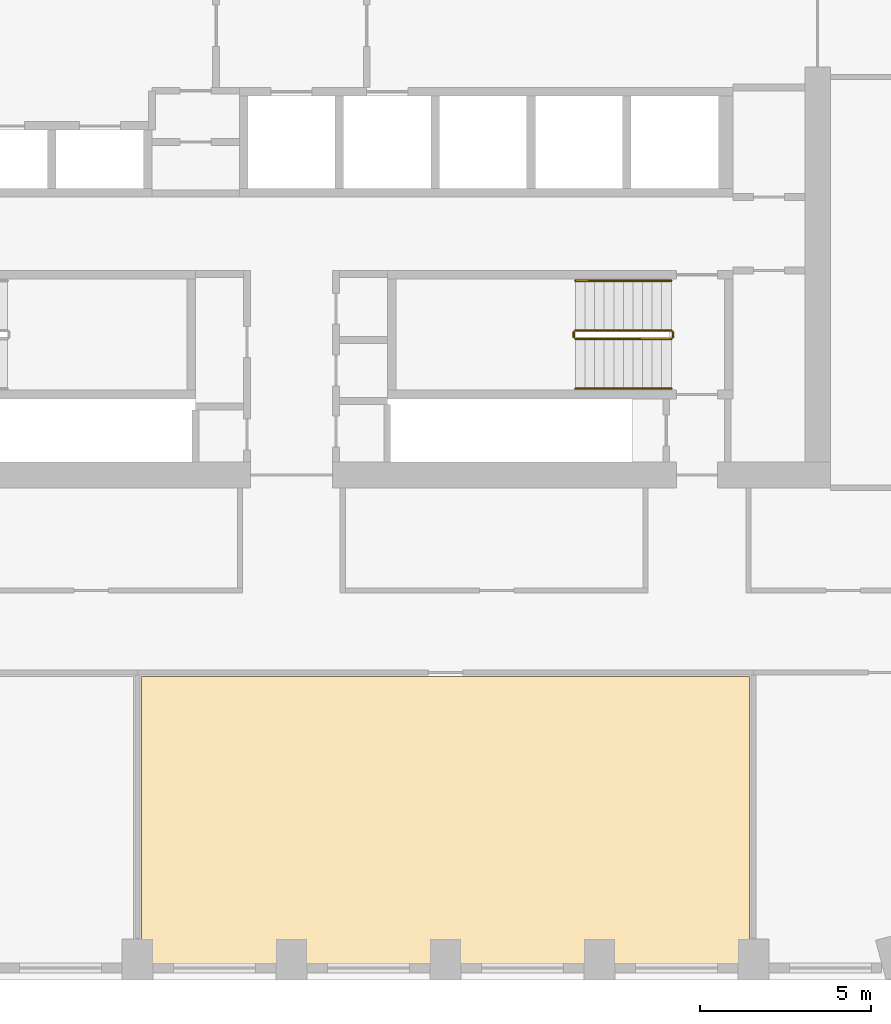
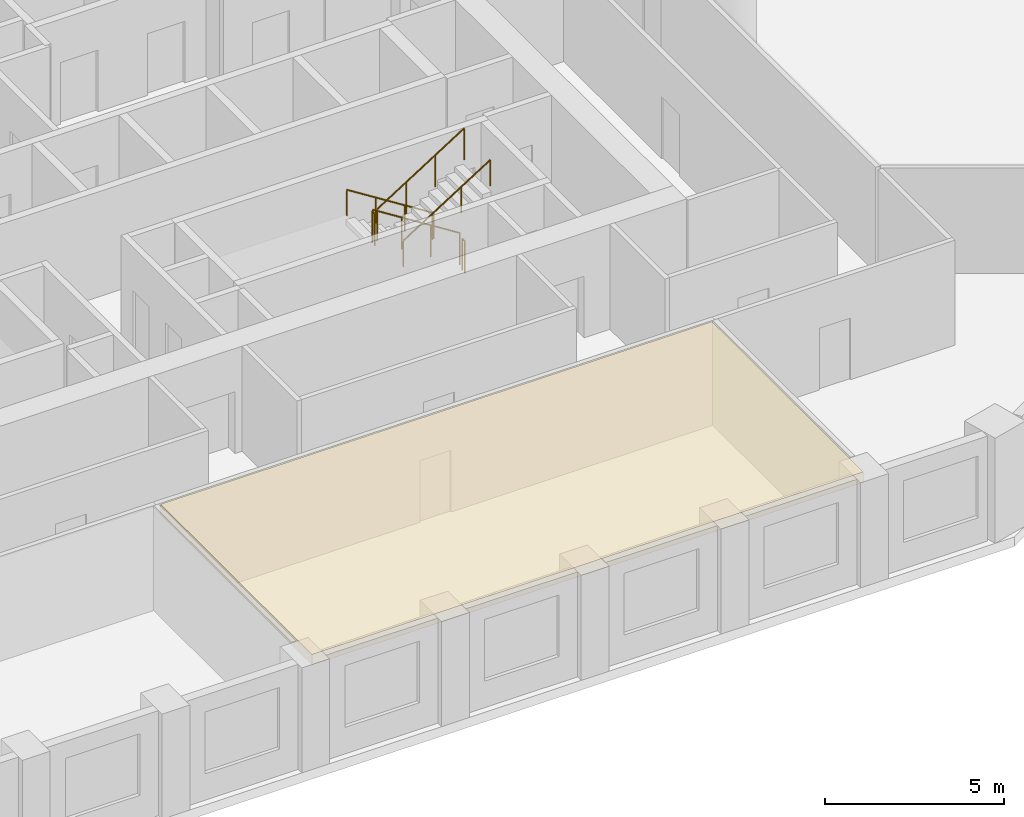
# One storey, part 11 of 14: 6 railings, 1 covering.
"""IFC4 building model written with IfcOpenShell, lengths in metres."""

from ifc_helpers import new_model, si_unit, direction, frame, origin, origin_2d, place, context, subcontext, project, spatial, polyline, circle, outline, extrude, material, layer, layer_set, type_object, element, save


model = new_model("IFC4")

# Units and contexts
model_context = context("Model", 3, precision=1e-05, world=origin(), true_north=direction((0.0, 1.0)))
body_context = subcontext(model_context, "Body", "Model", "MODEL_VIEW")
ifc_project = project(units=[si_unit("LENGTHUNIT", "METRE"), si_unit("AREAUNIT", "SQUARE_METRE"), si_unit("VOLUMEUNIT", "CUBIC_METRE"), si_unit("PLANEANGLEUNIT", "RADIAN"), si_unit("MASSUNIT", "GRAM", prefix="KILO")], contexts=[model_context])

# Site, building, storey
site_placement = place(None, origin())
site = spatial("IfcSite", under=ifc_project, at=site_placement, CompositionType="ELEMENT")
building_placement = place(site_placement, origin())
building = spatial("IfcBuilding", under=site, at=building_placement, Name="Dhurran Vertical Campus", CompositionType="ELEMENT")
storey_placement = place(building_placement, frame((0.0, 0.0, 136.5)))
storey = spatial("IfcBuildingStorey", under=building, at=storey_placement, Name="L33", CompositionType="ELEMENT", Elevation=136.5)

# Railings
ifc_material_1 = material(Name="Stainless steel balustrade", Category="steel")
railing_type_1 = type_object("IfcRailingType", Name="co-RL-GUARD-1100", PredefinedType="GUARDRAIL", material=ifc_material_1)
railing_1_placement = place(storey_placement, frame((11.10009765625, -8.89990234375, 0.17724609375)))
element("IfcRailing", 1, at=railing_1_placement, inside=storey, type_object=railing_type_1, Name="L33 ST4 stair guard 1", PredefinedType="GUARDRAIL", context=body_context, shape_type="SweptSolid", body=[
    extrude(circle(Radius=0.02392578125, at=origin_2d()), frame((0.0, 0.0, 1.076171875), z_axis=(-0.844908973607, 0.0, 0.534910110503), x_axis=(0.0, -1.0, 0.0)), (0.0, 0.0, 1.0), 3.31396484375),
    extrude(circle(Radius=0.02099609375, at=origin_2d()), origin(), (0.0, 0.0, 1.0), 1.052001953125),
    extrude(circle(Radius=0.02099609375, at=origin_2d()), frame((-0.933349609375, 0.0, 0.5908203125)), (0.0, 0.0, 1.0), 1.052001953125),
    extrude(circle(Radius=0.02099609375, at=origin_2d()), frame((-1.86669921875, 0.0, 1.181884765625)), (0.0, 0.0, 1.0), 1.052001953125),
    extrude(circle(Radius=0.02099609375, at=origin_2d()), frame((-2.800048828125, 0.0, 1.772705078125)), (0.0, 0.0, 1.0), 1.052001953125),
])
railing_2_placement = place(storey_placement, frame((8.25, -8.949951171875, 1.949951171875)))
element("IfcRailing", 2, at=railing_2_placement, inside=storey, type_object=railing_type_1, Name="L33 ST4 stair guard 2", PredefinedType="GUARDRAIL", context=body_context, shape_type="SweptSolid", body=[
    extrude(circle(Radius=0.02392578125, at=origin_2d()), frame((0.0, 0.0, 1.076171875), z_axis=(0.0, -1.0, 0.0), x_axis=(1.0, 0.0, 0.0)), (0.0, 0.0, 1.0), 0.150146484375),
    extrude(circle(Radius=0.02099609375, at=origin_2d()), origin(), (0.0, 0.0, 1.0), 1.052001953125),
    extrude(circle(Radius=0.02099609375, at=origin_2d()), frame((0.0, -0.150146484375, 0.0)), (0.0, 0.0, 1.0), 1.052001953125),
])
railing_3_placement = place(storey_placement, frame((8.300048828125, -9.14990234375, 2.127197265625)))
element("IfcRailing", 3, at=railing_3_placement, inside=storey, type_object=railing_type_1, Name="L33 ST4 stair guard 3", PredefinedType="GUARDRAIL", context=body_context, shape_type="SweptSolid", body=[
    extrude(circle(Radius=0.02392578125, at=origin_2d()), frame((0.0, 0.0, 1.076171875), z_axis=(0.844908973607, 0.0, 0.534910110503), x_axis=(0.0, 1.0, 0.0)), (0.0, 0.0, 1.0), 3.31396484375),
    extrude(circle(Radius=0.02099609375, at=origin_2d()), origin(), (0.0, 0.0, 1.0), 1.052001953125),
    extrude(circle(Radius=0.02099609375, at=origin_2d()), frame((0.933349609375, 0.0, 0.5908203125)), (0.0, 0.0, 1.0), 1.052001953125),
    extrude(circle(Radius=0.02099609375, at=origin_2d()), frame((1.86669921875, 0.0, 1.181884765625)), (0.0, 0.0, 1.0), 1.052001953125),
    extrude(circle(Radius=0.02099609375, at=origin_2d()), frame((2.800048828125, 0.0, 1.772705078125)), (0.0, 0.0, 1.0), 1.052001953125),
])
railing_4_placement = place(storey_placement, frame((11.14990234375, -8.949951171875, 0.0)))
element("IfcRailing", 4, at=railing_4_placement, inside=storey, type_object=railing_type_1, Name="L33 ST4 stair guard 4", PredefinedType="GUARDRAIL", context=body_context, shape_type="SweptSolid", body=[
    extrude(circle(Radius=0.02392578125, at=origin_2d()), frame((0.0, 0.0, 1.076171875), z_axis=(0.0, -1.0, 0.0), x_axis=(1.0, 0.0, 0.0)), (0.0, 0.0, 1.0), 0.150146484375),
    extrude(circle(Radius=0.02099609375, at=origin_2d()), origin(), (0.0, 0.0, 1.0), 1.052001953125),
    extrude(circle(Radius=0.02099609375, at=origin_2d()), frame((0.0, -0.150146484375, 0.0)), (0.0, 0.0, 1.0), 1.052001953125),
])
ifc_material_2 = material(Name="Stainless steel handrail", Category="steel")
railing_type_2 = type_object("IfcRailingType", Name="co-RL-HANDRAIL-900", PredefinedType="HANDRAIL", material=ifc_material_2)
railing_5_placement = place(storey_placement, frame((11.10009765625, -7.449951171875, 0.17724609375)))
element("IfcRailing", 5, at=railing_5_placement, inside=storey, type_object=railing_type_2, Name="L33 ST4 stair handrail 1", PredefinedType="HANDRAIL", context=body_context, shape_type="SweptSolid", body=[
    extrude(circle(Radius=0.02392578125, at=origin_2d()), frame((0.0, 0.0, 0.8759765625), z_axis=(-0.844908973607, 0.0, 0.534910110503), x_axis=(0.0, -1.0, 0.0)), (0.0, 0.0, 1.0), 3.31396484375),
    extrude(circle(Radius=0.02099609375, at=origin_2d()), origin(), (0.0, 0.0, 1.0), 0.851806640625),
    extrude(circle(Radius=0.02099609375, at=origin_2d()), frame((-0.933349609375, 0.0, 0.5908203125)), (0.0, 0.0, 1.0), 0.851806640625),
    extrude(circle(Radius=0.02099609375, at=origin_2d()), frame((-1.86669921875, 0.0, 1.181884765625)), (0.0, 0.0, 1.0), 0.851806640625),
    extrude(circle(Radius=0.02099609375, at=origin_2d()), frame((-2.800048828125, 0.0, 1.772705078125)), (0.0, 0.0, 1.0), 0.851806640625),
])
railing_6_placement = place(storey_placement, frame((8.300048828125, -10.60009765625, 2.127197265625)))
element("IfcRailing", 6, at=railing_6_placement, inside=storey, type_object=railing_type_2, Name="L33 ST4 stair handrail 2", PredefinedType="HANDRAIL", context=body_context, shape_type="SweptSolid", body=[
    extrude(circle(Radius=0.02392578125, at=origin_2d()), frame((0.0, 0.0, 0.8759765625), z_axis=(0.844908973607, 0.0, 0.534910110503), x_axis=(0.0, 1.0, 0.0)), (0.0, 0.0, 1.0), 3.31396484375),
    extrude(circle(Radius=0.02099609375, at=origin_2d()), origin(), (0.0, 0.0, 1.0), 0.851806640625),
    extrude(circle(Radius=0.02099609375, at=origin_2d()), frame((0.933349609375, 0.0, 0.5908203125)), (0.0, 0.0, 1.0), 0.851806640625),
    extrude(circle(Radius=0.02099609375, at=origin_2d()), frame((1.86669921875, 0.0, 1.181884765625)), (0.0, 0.0, 1.0), 0.851806640625),
    extrude(circle(Radius=0.02099609375, at=origin_2d()), frame((2.800048828125, 0.0, 1.772705078125)), (0.0, 0.0, 1.0), 0.851806640625),
])

# Covering
ifc_material_3 = material(Name="Mineral fibre ceiling tiles on suspended grid")
ifc_layer = layer(ifc_material_3, 0.35009765625)
ifc_layer_set = layer_set([ifc_layer], Name="Mineral fibre ceiling tiles on suspended grid")
covering_type = type_object("IfcCoveringType", Name="fl-CE-350 suspended ceiling", PredefinedType="CEILING", material=ifc_layer_set)
covering_placement = place(storey_placement, frame((0.0, 0.0, 3.22509765625)))
element("IfcCovering", 7, at=covering_placement, inside=storey, type_object=covering_type, Name="Ceiling 33-21", PredefinedType="CEILING", context=body_context, shape_type="SweptSolid", body=[
    extrude(outline(polyline([(13.3798828125, -27.462890625), (-4.3798828125, -27.462890625), (-4.3798828125, -19.02001953125), (13.3798828125, -19.02001953125), (13.3798828125, -27.462890625)])), origin(), (0.0, 0.0, 1.0), 0.349853515625),
])

save(model, "model.ifc")
